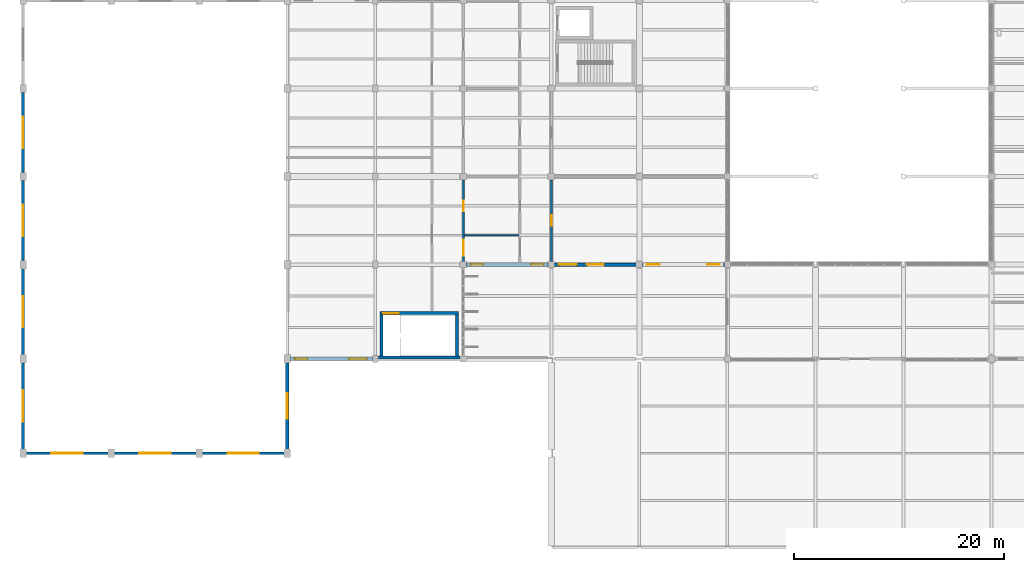
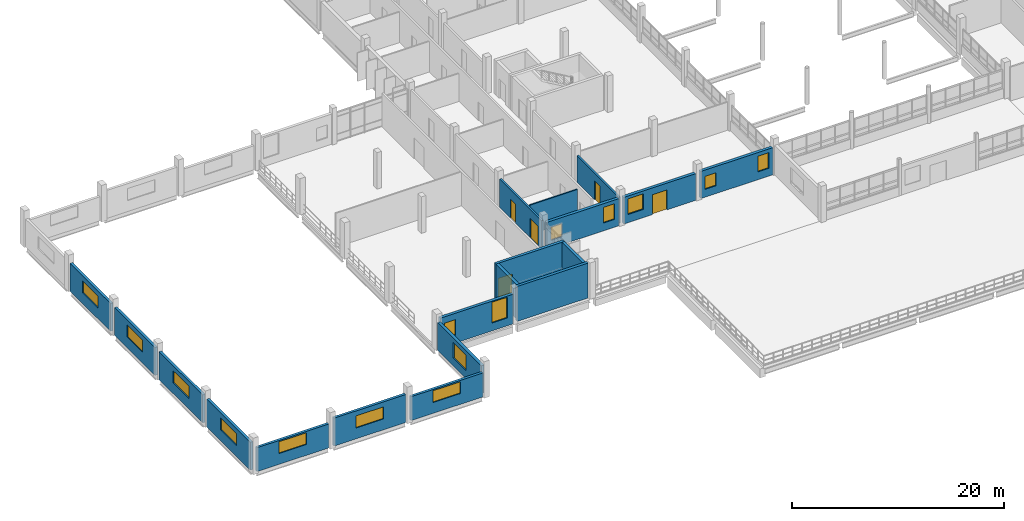
# One storey, part 82 of 101: 19 walls, 15 windows, 5 doors, 20 openings.
"""IFC4 building model written with IfcOpenShell, lengths in metres."""

import ifcopenshell
import ifcopenshell.guid

model = None  # the IFC model being written
_history = None  # IfcOwnerHistory: only IFC2X3 demands one
_inside = {}  # id of a spatial element -> (the spatial element, [elements in it])
_under = {}  # id of a project, library or spatial element -> (it, [spatial elements below it])
_declared = {}  # id of a project -> (the project, [libraries it declares])
_typed = {}  # id of a type object -> (the type object, [elements of that type])
_made_of = {}  # id of a material, layer set ... -> (it, [elements and type objects made of it])


def new_model(schema):
    """Start an empty IFC model of exactly this schema.

    Asked for "IFC4X3", IfcOpenShell would pick the latest addendum, in which some entities
    have other attributes; the version numbers below select the first issue.
    IFC2X3 requires an IfcOwnerHistory on every rooted entity: one is made here for all.
    """
    global model, _history
    if schema == "IFC4X3":
        model = ifcopenshell.file(schema_version=(4, 3, 0, 0))
    else:
        model = ifcopenshell.file(schema=schema)
    _inside.clear()
    _under.clear()
    _declared.clear()
    _typed.clear()
    _made_of.clear()
    _history = None
    if model.schema == "IFC2X3":
        org = make("IfcOrganization", Name="unknown")
        user = make(
            "IfcPersonAndOrganization",
            ThePerson=make("IfcPerson", FamilyName="unknown"),
            TheOrganization=org,
        )
        app = make(
            "IfcApplication",
            ApplicationDeveloper=org,
            Version="unknown",
            ApplicationFullName="unknown",
            ApplicationIdentifier="unknown",
        )
        _history = make(
            "IfcOwnerHistory",
            OwningUser=user,
            OwningApplication=app,
            ChangeAction="ADDED",
            CreationDate=0,
        )
    return model


def make(cls, **values):
    """One entity of the class cls with the attributes given. An attribute that is None is left unset."""
    return model.create_entity(
        cls, **{name: value for name, value in values.items() if value is not None}
    )


def rooted(cls, **values):
    """An entity with a GlobalId (a new one), such as an element, a storey or a relation."""
    return make(cls, GlobalId=ifcopenshell.guid.new(), OwnerHistory=_history, **values)


def si_unit(unit_type, name, prefix=None):
    """IfcSIUnit, for example si_unit("LENGTHUNIT", "METRE", prefix="MILLI")."""
    return make("IfcSIUnit", UnitType=unit_type, Prefix=prefix, Name=name)


def assignment(units):
    """IfcUnitAssignment: the units of a project."""
    return None if units is None else make("IfcUnitAssignment", Units=units)


def point(xyz):
    """IfcCartesianPoint."""
    return None if xyz is None else make("IfcCartesianPoint", Coordinates=xyz)


def direction(xyz):
    """IfcDirection."""
    return None if xyz is None else make("IfcDirection", DirectionRatios=xyz)


def frame(location, z_axis=None, x_axis=None):
    """IfcAxis2Placement3D, a coordinate frame: its origin and axes. An axis left out is left unset."""
    return make(
        "IfcAxis2Placement3D",
        Location=point(location),
        Axis=direction(z_axis),
        RefDirection=direction(x_axis),
    )


def frame_2d(location, x_axis=None):
    """IfcAxis2Placement2D, a coordinate frame in the plane: its origin and x axis."""
    return make(
        "IfcAxis2Placement2D", Location=point(location), RefDirection=direction(x_axis)
    )


def origin():
    """The frame at (0, 0, 0) with its axes left unset."""
    return frame((0.0, 0.0, 0.0))


def place(relative_to, where):
    """IfcLocalPlacement: puts the frame where relative to a parent placement (None: the world)."""
    return make(
        "IfcLocalPlacement", PlacementRelTo=relative_to, RelativePlacement=where
    )


def context(
    kind, dimensions, precision=None, world=None, true_north=None, identifier=None
):
    """IfcGeometricRepresentationContext, for example the 3D "Model" context."""
    return make(
        "IfcGeometricRepresentationContext",
        ContextIdentifier=identifier,
        ContextType=kind,
        CoordinateSpaceDimension=dimensions,
        Precision=precision,
        WorldCoordinateSystem=world,
        TrueNorth=true_north,
    )


def subcontext(parent, identifier, kind, view, scale=None):
    """IfcGeometricRepresentationSubContext, for example "Body" below "Model"."""
    return make(
        "IfcGeometricRepresentationSubContext",
        ContextIdentifier=identifier,
        ContextType=kind,
        ParentContext=parent,
        TargetScale=scale,
        TargetView=view,
    )


def project(units=None, contexts=None):
    """IfcProject with its units and contexts."""
    return rooted(
        "IfcProject",
        Name="project",
        RepresentationContexts=contexts,
        UnitsInContext=assignment(units),
    )


def spatial(cls, under=None, at=None, **own):
    """A site, building, storey or space (cls), placed at a placement, below another one or the project."""
    s = rooted(cls, ObjectPlacement=at, **own)
    if under is not None:
        _under.setdefault(under.id(), (under, []))[1].append(s)
    return s


def profile(cls, at=None, kind="AREA", **sizes):
    """A parametric profile (cls). Its sizes go by their IFC names, for example OverallWidth=200.0."""
    return make(cls, ProfileType=kind, Position=at, **sizes)


def rectangle(**sizes):
    """IfcRectangleProfileDef."""
    return profile("IfcRectangleProfileDef", **sizes)


def extrude(swept, where, along, depth):
    """IfcExtrudedAreaSolid: the profile swept, set in the frame where, extruded along a direction by depth."""
    return make(
        "IfcExtrudedAreaSolid",
        SweptArea=swept,
        Position=where,
        ExtrudedDirection=direction(along),
        Depth=depth,
    )


def shape(context_of_items, identifier, shape_type, items):
    """IfcShapeRepresentation: the items that make up one representation, for example the "Body"."""
    return make(
        "IfcShapeRepresentation",
        ContextOfItems=context_of_items,
        RepresentationIdentifier=identifier,
        RepresentationType=shape_type,
        Items=items,
    )


def material(Name=None, Category=None):
    """IfcMaterial."""
    return make("IfcMaterial", Name=Name, Category=Category)


def layer(
    of_material, thickness, ventilated=None, Name=None, Category=None, Priority=None
):
    """IfcMaterialLayer: one layer of a wall or slab, of a material (None: an air gap)."""
    return make(
        "IfcMaterialLayer",
        Material=of_material,
        LayerThickness=thickness,
        IsVentilated=ventilated,
        Name=Name,
        Category=Category,
        Priority=Priority,
    )


def layer_set(layers, Name=None):
    """IfcMaterialLayerSet."""
    return make("IfcMaterialLayerSet", MaterialLayers=layers, LayerSetName=Name)


def made_of(thing, what):
    """Note that an element or type object is made of a material, layer set ...; save() writes the relation."""
    if what is not None:
        _made_of.setdefault(what.id(), (what, []))[1].append(thing)
    return thing


def type_object(cls, material=None, **own):
    """A type object (cls), such as IfcWallType, which elements share."""
    return made_of(rooted(cls, **own), material)


def element(
    cls,
    number,
    at=None,
    inside=None,
    cuts=None,
    type_object=None,
    material=None,
    context=None,
    identifier="Body",
    shape_type=None,
    held_by="IfcProductDefinitionShape",
    body=None,
    shapes=None,
    **own,
):
    """One element of the class cls, such as IfcWall. Its Tag is "e" and its number.

    at: its placement. inside: the storey or other place that contains it. cuts: it is an
    opening in that element (IfcRelVoidsElement). A single representation is given by context,
    identifier, shape_type and body (its items); several are given by shapes. held_by: the class
    of the entity that holds the representations. save() writes the other relations.
    """
    e = rooted(cls, Tag="e%d" % number, ObjectPlacement=at, **own)
    if body is not None:
        shapes = [shape(context, identifier, shape_type, body)]
    if shapes is not None:
        e.Representation = make(held_by, Representations=shapes)
    if inside is not None:
        _inside.setdefault(inside.id(), (inside, []))[1].append(e)
    if cuts is not None:
        rooted(
            "IfcRelVoidsElement", RelatingBuildingElement=cuts, RelatedOpeningElement=e
        )
    if type_object is not None:
        _typed.setdefault(type_object.id(), (type_object, []))[1].append(e)
    return made_of(e, material)


def fill(opening, filler):
    """IfcRelFillsElement: the door or window that sits in an opening."""
    return rooted(
        "IfcRelFillsElement",
        RelatingOpeningElement=opening,
        RelatedBuildingElement=filler,
    )


def aggregate(whole, parts):
    """IfcRelAggregates: a whole, such as a stair, and the parts it consists of."""
    return rooted("IfcRelAggregates", RelatingObject=whole, RelatedObjects=parts)


def save(model, path):
    """Write the relations noted so far, then the file.

    IfcRelAggregates (storeys below a building ...), IfcRelContainedInSpatialStructure (elements
    in a storey), IfcRelDefinesByType, IfcRelAssociatesMaterial and IfcRelDeclares: one each for
    every whole, place, type object, material and project.
    """
    for whole, parts in _under.values():
        aggregate(whole, parts)
    for where, things in _inside.values():
        rooted(
            "IfcRelContainedInSpatialStructure",
            RelatedElements=things,
            RelatingStructure=where,
        )
    for kind, things in _typed.values():
        rooted("IfcRelDefinesByType", RelatedObjects=things, RelatingType=kind)
    for what, things in _made_of.values():
        rooted("IfcRelAssociatesMaterial", RelatedObjects=things, RelatingMaterial=what)
    for by, libraries in _declared.values():
        rooted("IfcRelDeclares", RelatingContext=by, RelatedDefinitions=libraries)
    model.write(path)


model = new_model("IFC4")

# Units and contexts
model_context = context("Model", 3, precision=1e-05, world=origin(), true_north=direction((0.0, 1.0)))
body_context = subcontext(model_context, "Body", "Model", "MODEL_VIEW")
ifc_project = project(units=[si_unit("LENGTHUNIT", "METRE"), si_unit("AREAUNIT", "SQUARE_METRE"), si_unit("VOLUMEUNIT", "CUBIC_METRE"), si_unit("PLANEANGLEUNIT", "RADIAN"), si_unit("MASSUNIT", "GRAM", prefix="KILO")], contexts=[model_context])

# Site, building, storey
site_placement = place(None, origin())
site = spatial("IfcSite", under=ifc_project, at=site_placement, CompositionType="ELEMENT")
building_placement = place(site_placement, origin())
building = spatial("IfcBuilding", under=site, at=building_placement, Name="Vireocrest Preparatory School", CompositionType="ELEMENT")
storey_placement = place(building_placement, frame((0.0, 0.0, 4.800048828125)))
storey = spatial("IfcBuildingStorey", under=building, at=storey_placement, Name="L01", CompositionType="ELEMENT", Elevation=4.800048828125)

# Wall
ifc_material_1 = material(Name="Gypsum board on cold-formed steel studs", Category="steel")
ifc_layer_1 = layer(ifc_material_1, 0.139892578125)
ifc_layer_set_1 = layer_set([ifc_layer_1], Name="Gypsum board on cold-formed steel studs")
wall_type_1 = type_object("IfcWallType", Name="Classroom Acoustic Partition Wall 140", PredefinedType="PARTITIONING", material=ifc_layer_set_1)
wall_1_placement = place(storey_placement, frame((42.10498046875, 29.800048828125, 0.0), z_axis=(0.0, 0.0, 1.0), x_axis=(1.0, 0.0, 0.0)))
element("IfcWall", 1, at=wall_1_placement, inside=storey, type_object=wall_type_1, Name="Interior Partition W03 IW_L01_0123", PredefinedType="PARTITIONING", context=body_context, shape_type="SweptSolid", body=[
    extrude(rectangle(XDim=5.18994140625, YDim=0.139892578125, at=frame_2d((2.594970703125, 0.0))), origin(), (0.0, 0.0, 1.0), 3.429931640625),
])

# Wall, openings, doors
ifc_layer_2 = layer(ifc_material_1, 0.199951171875)
ifc_layer_set_2 = layer_set([ifc_layer_2], Name="Gypsum board on cold-formed steel studs")
wall_type_2 = type_object("IfcWallType", Name="Corridor One-Hour Fire Partition 200", PredefinedType="PARTITIONING", material=ifc_layer_set_2)
wall_2_placement = place(storey_placement, frame((42.0, 27.1650390625, 0.0), z_axis=(0.0, 0.0, 1.0), x_axis=(0.0, 1.0, 0.0)))
wall_2 = element("IfcWall", 2, at=wall_2_placement, inside=storey, type_object=wall_type_2, Name="Interior Partition W06 IW_L01_0132", PredefinedType="PARTITIONING", context=body_context, shape_type="SweptSolid", body=[
    extrude(rectangle(XDim=7.925048828125, YDim=0.199951171875, at=frame_2d((3.96240234375, 0.0))), origin(), (0.0, 0.0, 1.0), 3.27197265625),
])
opening_1_placement = place(wall_2_placement, frame((0.68505859375, 0.0, 0.0)))
opening_1 = element("IfcOpeningElement", 3, at=opening_1_placement, cuts=wall_2, Name="Opening D-L01-G6C", PredefinedType="OPENING", context=body_context, shape_type="SweptSolid", body=[
    extrude(rectangle(XDim=1.5, YDim=2.199951171875, at=frame_2d((0.75, 1.10009765625))), frame((0.0, 0.10986328125, 0.0), z_axis=(0.0, -1.0, 0.0), x_axis=(1.0, 0.0, 0.0)), (0.0, 0.0, 1.0), 0.219970703125),
])
opening_2_placement = place(wall_2_placement, frame((4.93505859375, 0.0, 0.0)))
opening_2 = element("IfcOpeningElement", 4, at=opening_2_placement, cuts=wall_2, Name="Opening D-L01-G601", PredefinedType="OPENING", context=body_context, shape_type="SweptSolid", body=[
    extrude(rectangle(XDim=1.0, YDim=2.14990234375, at=frame_2d((0.5, 1.074951171875))), frame((0.0, 0.10986328125, 0.0), z_axis=(0.0, -1.0, 0.0), x_axis=(1.0, 0.0, 0.0)), (0.0, 0.0, 1.0), 0.219970703125),
])
ifc_material_2 = material(Name="Solid-core architectural birch timber", Category="wood")
door_type_1 = type_object("IfcDoorType", Name="Classroom Acoustic Timber Door 1000x2150", OperationType="NOTDEFINED", PredefinedType="DOOR", material=ifc_material_2)
door_1_placement = place(opening_2_placement, origin())
door_1 = element("IfcDoor", 5, at=door_1_placement, inside=storey, type_object=door_type_1, Name="Interior Door D-L01-G601", OperationType="SINGLE_SWING_RIGHT", OverallHeight=2.14990234375, OverallWidth=1.0, PredefinedType="DOOR", context=body_context, shape_type="SweptSolid", body=[
    extrude(rectangle(XDim=1.0, YDim=2.14990234375, at=frame_2d((0.5, 1.074951171875))), frame((0.0, 0.02490234375, 0.0), z_axis=(0.0, -1.0, 0.0), x_axis=(1.0, 0.0, 0.0)), (0.0, 0.0, 1.0), 0.050048828125),
])
fill(opening_2, door_1)
ifc_material_3 = material(Name="Painted galvanized hollow steel", Category="steel")
door_type_2 = type_object("IfcDoorType", Name="Stair Enclosure Fire Door 1500x2200", OperationType="DOUBLE_DOOR_SINGLE_SWING", PredefinedType="DOOR", material=ifc_material_3)
door_2_placement = place(opening_1_placement, origin())
door_2 = element("IfcDoor", 6, at=door_2_placement, inside=storey, type_object=door_type_2, Name="Interior Door D-L01-G6C", OperationType="DOUBLE_DOOR_SINGLE_SWING", OverallHeight=2.199951171875, OverallWidth=1.5, PredefinedType="DOOR", context=body_context, shape_type="SweptSolid", body=[
    extrude(rectangle(XDim=1.5, YDim=2.199951171875, at=frame_2d((0.75, 1.10009765625))), frame((0.0, 0.02490234375, 0.0), z_axis=(0.0, -1.0, 0.0), x_axis=(1.0, 0.0, 0.0)), (0.0, 0.0, 1.0), 0.050048828125),
])
fill(opening_1, door_2)

# Wall, opening, door
wall_3_placement = place(storey_placement, frame((50.39990234375, 27.1650390625, 0.0), z_axis=(0.0, 0.0, 1.0), x_axis=(0.0, 1.0, 0.0)))
wall_3 = element("IfcWall", 7, at=wall_3_placement, inside=storey, type_object=wall_type_2, Name="Interior Partition W06 IW_L01_0137", PredefinedType="PARTITIONING", context=body_context, shape_type="SweptSolid", body=[
    extrude(rectangle(XDim=7.925048828125, YDim=0.199951171875, at=frame_2d((3.96240234375, 0.0))), origin(), (0.0, 0.0, 1.0), 3.030029296875),
])
opening_3_placement = place(wall_3_placement, frame((3.534912109375, 0.0, 0.0)))
opening_3 = element("IfcOpeningElement", 8, at=opening_3_placement, cuts=wall_3, Name="Opening D-L01-W1E01", PredefinedType="OPENING", context=body_context, shape_type="SweptSolid", body=[
    extrude(rectangle(XDim=1.0, YDim=2.14990234375, at=frame_2d((0.5, 1.074951171875))), frame((0.0, 0.10986328125, 0.0), z_axis=(0.0, -1.0, 0.0), x_axis=(1.0, 0.0, 0.0)), (0.0, 0.0, 1.0), 0.219970703125),
])
door_3_placement = place(opening_3_placement, origin())
door_3 = element("IfcDoor", 9, at=door_3_placement, inside=storey, type_object=door_type_1, Name="Interior Door D-L01-W1E01", OperationType="SINGLE_SWING_LEFT", OverallHeight=2.14990234375, OverallWidth=1.0, PredefinedType="DOOR", context=body_context, shape_type="SweptSolid", body=[
    extrude(rectangle(XDim=1.0, YDim=2.14990234375, at=frame_2d((0.5, 1.074951171875))), frame((0.0, 0.02490234375, 0.0), z_axis=(0.0, -1.0, 0.0), x_axis=(1.0, 0.0, 0.0)), (0.0, 0.0, 1.0), 0.050048828125),
])
fill(opening_3, door_3)

# Wall, opening, window
ifc_material_4 = material(Name="Precast white concrete 40 MPa", Category="concrete")
ifc_layer_3 = layer(ifc_material_4, 0.320068359375)
ifc_layer_set_3 = layer_set([ifc_layer_3], Name="Precast white concrete 40 MPa")
wall_type_3 = type_object("IfcWallType", Name="High-Tech Insulated Rainscreen External Wall 320", PredefinedType="SOLIDWALL", material=ifc_layer_set_3)
wall_4_placement = place(storey_placement, frame((25.199951171875, 9.375, 0.0), z_axis=(0.0, 0.0, 1.0), x_axis=(0.0, 1.0, 0.0)))
wall_4 = element("IfcWall", 10, at=wall_4_placement, inside=storey, type_object=wall_type_3, Name="External Wall W12 EW_L01_0194", PredefinedType="SOLIDWALL", context=body_context, shape_type="SweptSolid", body=[
    extrude(rectangle(XDim=8.25, YDim=0.320068359375, at=frame_2d((4.125, 0.0))), origin(), (0.0, 0.0, 1.0), 3.221923828125),
])
opening_4_placement = place(wall_4_placement, frame((2.925048828125, 0.0, 0.89990234375)))
opening_4 = element("IfcOpeningElement", 11, at=opening_4_placement, cuts=wall_4, Name="Opening WN12", PredefinedType="OPENING", context=body_context, shape_type="SweptSolid", body=[
    extrude(rectangle(XDim=2.39990234375, YDim=1.800048828125, at=frame_2d((1.199951171875, 0.89990234375))), frame((0.0, 0.169921875, 0.0), z_axis=(0.0, -1.0, 0.0), x_axis=(1.0, 0.0, 0.0)), (0.0, 0.0, 1.0), 0.340087890625),
])
ifc_material_5 = material(Name="Thermally broken aluminium EN AW-6063-T6", Category="aluminium")
window_type_1 = type_object("IfcWindowType", Name="Classroom Paired Window 2400x1800", PartitioningType="DOUBLE_PANEL_VERTICAL", PredefinedType="WINDOW", material=ifc_material_5)
window_1_placement = place(opening_4_placement, origin())
window_1 = element("IfcWindow", 12, at=window_1_placement, inside=storey, type_object=window_type_1, Name="Window W-L01-087 (WN12)", OverallHeight=1.800048828125, OverallWidth=2.39990234375, PartitioningType="SINGLE_PANEL", PredefinedType="WINDOW", context=body_context, shape_type="SweptSolid", body=[
    extrude(rectangle(XDim=2.39990234375, YDim=1.800048828125, at=frame_2d((1.199951171875, 0.89990234375))), frame((0.0, 0.030029296875, 0.0), z_axis=(0.0, -1.0, 0.0), x_axis=(1.0, 0.0, 0.0)), (0.0, 0.0, 1.0), 0.06005859375),
])
fill(opening_4, window_1)

# Wall, openings, windows
wall_5_placement = place(storey_placement, frame((25.47509765625, 18.0, 0.0), z_axis=(0.0, 0.0, 1.0), x_axis=(1.0, 0.0, 0.0)))
wall_5 = element("IfcWall", 13, at=wall_5_placement, inside=storey, type_object=wall_type_3, Name="External Wall W12 EW_L01_0195", PredefinedType="SOLIDWALL", context=body_context, shape_type="SweptSolid", body=[
    extrude(rectangle(XDim=7.89990234375, YDim=0.320068359375, at=frame_2d((3.949951171875, 0.0))), origin(), (0.0, 0.0, 1.0), 3.429931640625),
])
opening_5_placement = place(wall_5_placement, frame((0.449951171875, 0.0, 0.89990234375)))
opening_5 = element("IfcOpeningElement", 14, at=opening_5_placement, cuts=wall_5, Name="Opening WN02", PredefinedType="OPENING", context=body_context, shape_type="SweptSolid", body=[
    extrude(rectangle(XDim=1.199951171875, YDim=1.800048828125, at=frame_2d((0.60009765625, 0.89990234375))), frame((0.0, 0.169921875, 0.0), z_axis=(0.0, -1.0, 0.0), x_axis=(1.0, 0.0, 0.0)), (0.0, 0.0, 1.0), 0.340087890625),
])
opening_6_placement = place(wall_5_placement, frame((5.6201171875, 0.0, 0.89990234375)))
opening_6 = element("IfcOpeningElement", 15, at=opening_6_placement, cuts=wall_5, Name="Opening WN07", PredefinedType="OPENING", context=body_context, shape_type="SweptSolid", body=[
    extrude(rectangle(XDim=1.679931640625, YDim=2.39990234375, at=frame_2d((0.83984375, 1.199951171875))), frame((0.0, 0.169921875, 0.0), z_axis=(0.0, -1.0, 0.0), x_axis=(1.0, 0.0, 0.0)), (0.0, 0.0, 1.0), 0.340087890625),
])
window_type_2 = type_object("IfcWindowType", Name="Counseling Window 1200x1800", PartitioningType="SINGLE_PANEL", PredefinedType="WINDOW", material=ifc_material_5)
window_2_placement = place(opening_5_placement, origin())
window_2 = element("IfcWindow", 16, at=window_2_placement, inside=storey, type_object=window_type_2, Name="Window W-L01-088 (WN02)", OverallHeight=1.800048828125, OverallWidth=1.199951171875, PartitioningType="SINGLE_PANEL", PredefinedType="WINDOW", context=body_context, shape_type="SweptSolid", body=[
    extrude(rectangle(XDim=1.199951171875, YDim=1.800048828125, at=frame_2d((0.60009765625, 0.89990234375))), frame((0.0, 0.030029296875, 0.0), z_axis=(0.0, -1.0, 0.0), x_axis=(1.0, 0.0, 0.0)), (0.0, 0.0, 1.0), 0.06005859375),
])
fill(opening_5, window_2)
window_type_3 = type_object("IfcWindowType", Name="Module Lab Window 1680x2400", PartitioningType="SINGLE_PANEL", PredefinedType="WINDOW", material=ifc_material_5)
window_3_placement = place(opening_6_placement, origin())
window_3 = element("IfcWindow", 17, at=window_3_placement, inside=storey, type_object=window_type_3, Name="Window W-L01-089 (WN07)", OverallHeight=2.39990234375, OverallWidth=1.679931640625, PartitioningType="SINGLE_PANEL", PredefinedType="WINDOW", context=body_context, shape_type="SweptSolid", body=[
    extrude(rectangle(XDim=1.679931640625, YDim=2.39990234375, at=frame_2d((0.83984375, 1.199951171875))), frame((0.0, 0.030029296875, 0.0), z_axis=(0.0, -1.0, 0.0), x_axis=(1.0, 0.0, 0.0)), (0.0, 0.0, 1.0), 0.06005859375),
])
fill(opening_6, window_3)

wall_6_placement = place(storey_placement, frame((42.27490234375, 27.0, 0.0), z_axis=(0.0, 0.0, 1.0), x_axis=(1.0, 0.0, 0.0)))
wall_6 = element("IfcWall", 18, at=wall_6_placement, inside=storey, type_object=wall_type_3, Name="External Wall W12 EW_L01_0197", PredefinedType="SOLIDWALL", context=body_context, shape_type="SweptSolid", body=[
    extrude(rectangle(XDim=7.85009765625, YDim=0.320068359375, at=frame_2d((3.925048828125, 0.0))), origin(), (0.0, 0.0, 1.0), 3.1298828125),
])
opening_7_placement = place(wall_6_placement, frame((0.449951171875, 0.0, 0.89990234375)))
opening_7 = element("IfcOpeningElement", 19, at=opening_7_placement, cuts=wall_6, Name="Opening WN01", PredefinedType="OPENING", context=body_context, shape_type="SweptSolid", body=[
    extrude(rectangle(XDim=1.199951171875, YDim=1.5, at=frame_2d((0.60009765625, 0.75))), frame((0.0, 0.169921875, 0.0), z_axis=(0.0, -1.0, 0.0), x_axis=(1.0, 0.0, 0.0)), (0.0, 0.0, 1.0), 0.340087890625),
])
opening_8_placement = place(wall_6_placement, frame((6.199951171875, 0.0, 0.89990234375)))
opening_8 = element("IfcOpeningElement", 20, at=opening_8_placement, cuts=wall_6, Name="Opening WN02", PredefinedType="OPENING", context=body_context, shape_type="SweptSolid", body=[
    extrude(rectangle(XDim=1.199951171875, YDim=1.800048828125, at=frame_2d((0.60009765625, 0.89990234375))), frame((0.0, 0.169921875, 0.0), z_axis=(0.0, -1.0, 0.0), x_axis=(1.0, 0.0, 0.0)), (0.0, 0.0, 1.0), 0.340087890625),
])
window_4_placement = place(opening_8_placement, origin())
window_4 = element("IfcWindow", 21, at=window_4_placement, inside=storey, type_object=window_type_2, Name="Window W-L01-091 (WN02)", OverallHeight=1.800048828125, OverallWidth=1.199951171875, PartitioningType="SINGLE_PANEL", PredefinedType="WINDOW", context=body_context, shape_type="SweptSolid", body=[
    extrude(rectangle(XDim=1.199951171875, YDim=1.800048828125, at=frame_2d((0.60009765625, 0.89990234375))), frame((0.0, 0.030029296875, 0.0), z_axis=(0.0, -1.0, 0.0), x_axis=(1.0, 0.0, 0.0)), (0.0, 0.0, 1.0), 0.06005859375),
])
fill(opening_8, window_4)
window_type_4 = type_object("IfcWindowType", Name="Office Punched Window 1200x1500", PartitioningType="SINGLE_PANEL", PredefinedType="WINDOW", material=ifc_material_5)
window_5_placement = place(opening_7_placement, origin())
window_5 = element("IfcWindow", 22, at=window_5_placement, inside=storey, type_object=window_type_4, Name="Window W-L01-090 (WN01)", OverallHeight=1.5, OverallWidth=1.199951171875, PartitioningType="SINGLE_PANEL", PredefinedType="WINDOW", context=body_context, shape_type="SweptSolid", body=[
    extrude(rectangle(XDim=1.199951171875, YDim=1.5, at=frame_2d((0.60009765625, 0.75))), frame((0.0, 0.030029296875, 0.0), z_axis=(0.0, -1.0, 0.0), x_axis=(1.0, 0.0, 0.0)), (0.0, 0.0, 1.0), 0.06005859375),
])
fill(opening_7, window_5)

# Wall, openings, window, door
wall_7_placement = place(storey_placement, frame((50.675048828125, 27.0, 0.0), z_axis=(0.0, 0.0, 1.0), x_axis=(1.0, 0.0, 0.0)))
wall_7 = element("IfcWall", 23, at=wall_7_placement, inside=storey, type_object=wall_type_3, Name="External Wall W12 EW_L01_0198", PredefinedType="SOLIDWALL", context=body_context, shape_type="SweptSolid", body=[
    extrude(rectangle(XDim=7.849853515625, YDim=0.320068359375, at=frame_2d((3.9248046875, 0.0))), origin(), (0.0, 0.0, 1.0), 3.079833984375),
])
opening_9_placement = place(wall_7_placement, frame((4.72509765625, 0.0, 0.0), z_axis=(0.0, 0.0, 1.0), x_axis=(-1.0, 0.0, 0.0)))
opening_9 = element("IfcOpeningElement", 24, at=opening_9_placement, cuts=wall_7, Name="Opening TD-103", PredefinedType="OPENING", context=body_context, shape_type="SweptSolid", body=[
    extrude(rectangle(XDim=1.60009765625, YDim=2.300048828125, at=frame_2d((0.800048828125, 1.14990234375))), frame((0.0, 0.169921875, 0.0), z_axis=(0.0, -1.0, 0.0), x_axis=(1.0, 0.0, 0.0)), (0.0, 0.0, 1.0), 0.340087890625),
])
opening_10_placement = place(wall_7_placement, frame((0.449951171875, 0.0, 0.949951171875)))
opening_10 = element("IfcOpeningElement", 25, at=opening_10_placement, cuts=wall_7, Name="Opening WN05", PredefinedType="OPENING", context=body_context, shape_type="SweptSolid", body=[
    extrude(rectangle(XDim=1.679931640625, YDim=1.800048828125, at=frame_2d((0.83984375, 0.89990234375))), frame((0.0, 0.169921875, 0.0), z_axis=(0.0, -1.0, 0.0), x_axis=(1.0, 0.0, 0.0)), (0.0, 0.0, 1.0), 0.340087890625),
])
window_type_5 = type_object("IfcWindowType", Name="Module Classroom Window 1680x1800", PartitioningType="SINGLE_PANEL", PredefinedType="WINDOW", material=ifc_material_5)
window_6_placement = place(opening_10_placement, origin())
window_6 = element("IfcWindow", 26, at=window_6_placement, inside=storey, type_object=window_type_5, Name="Window W-L01-092 (WN05)", OverallHeight=1.800048828125, OverallWidth=1.679931640625, PartitioningType="SINGLE_PANEL", PredefinedType="WINDOW", context=body_context, shape_type="SweptSolid", body=[
    extrude(rectangle(XDim=1.679931640625, YDim=1.800048828125, at=frame_2d((0.83984375, 0.89990234375))), frame((0.0, 0.030029296875, 0.0), z_axis=(0.0, -1.0, 0.0), x_axis=(1.0, 0.0, 0.0)), (0.0, 0.0, 1.0), 0.06005859375),
])
fill(opening_10, window_6)
ifc_material_6 = material(Name="Thermally broken glazed aluminium", Category="aluminium")
door_type_3 = type_object("IfcDoorType", Name="Terrace Glazed Double Door 1600x2300", OperationType="DOUBLE_DOOR_SINGLE_SWING", PredefinedType="DOOR", material=ifc_material_6)
door_4_placement = place(opening_9_placement, origin())
door_4 = element("IfcDoor", 27, at=door_4_placement, inside=storey, type_object=door_type_3, Name="West First-Floor Terrace Door TD-103", OperationType="DOUBLE_DOOR_SINGLE_SWING", OverallHeight=2.300048828125, OverallWidth=1.60009765625, PredefinedType="DOOR", context=body_context, shape_type="SweptSolid", body=[
    extrude(rectangle(XDim=1.60009765625, YDim=2.300048828125, at=frame_2d((0.800048828125, 1.14990234375))), frame((0.0, 0.02490234375, 0.0), z_axis=(0.0, -1.0, 0.0), x_axis=(1.0, 0.0, 0.0)), (0.0, 0.0, 1.0), 0.050048828125),
])
fill(opening_9, door_4)

# Wall, openings, windows
wall_8_placement = place(storey_placement, frame((59.074951171875, 27.0, 0.0), z_axis=(0.0, 0.0, 1.0), x_axis=(1.0, 0.0, 0.0)))
wall_8 = element("IfcWall", 28, at=wall_8_placement, inside=storey, type_object=wall_type_3, Name="External Wall W12 EW_L01_0199", PredefinedType="SOLIDWALL", context=body_context, shape_type="SweptSolid", body=[
    extrude(rectangle(XDim=7.85009765625, YDim=0.320068359375, at=frame_2d((3.925048828125, 0.0))), origin(), (0.0, 0.0, 1.0), 3.1298828125),
])
opening_11_placement = place(wall_8_placement, frame((0.449951171875, 0.0, 0.89990234375)))
opening_11 = element("IfcOpeningElement", 29, at=opening_11_placement, cuts=wall_8, Name="Opening WN01", PredefinedType="OPENING", context=body_context, shape_type="SweptSolid", body=[
    extrude(rectangle(XDim=1.199951171875, YDim=1.5, at=frame_2d((0.60009765625, 0.75))), frame((0.0, 0.169921875, 0.0), z_axis=(0.0, -1.0, 0.0), x_axis=(1.0, 0.0, 0.0)), (0.0, 0.0, 1.0), 0.340087890625),
])
opening_12_placement = place(wall_8_placement, frame((6.199951171875, 0.0, 0.89990234375)))
opening_12 = element("IfcOpeningElement", 30, at=opening_12_placement, cuts=wall_8, Name="Opening WN02", PredefinedType="OPENING", context=body_context, shape_type="SweptSolid", body=[
    extrude(rectangle(XDim=1.199951171875, YDim=1.800048828125, at=frame_2d((0.60009765625, 0.89990234375))), frame((0.0, 0.169921875, 0.0), z_axis=(0.0, -1.0, 0.0), x_axis=(1.0, 0.0, 0.0)), (0.0, 0.0, 1.0), 0.340087890625),
])
window_7_placement = place(opening_12_placement, origin())
window_7 = element("IfcWindow", 31, at=window_7_placement, inside=storey, type_object=window_type_2, Name="Window W-L01-094 (WN02)", OverallHeight=1.800048828125, OverallWidth=1.199951171875, PartitioningType="SINGLE_PANEL", PredefinedType="WINDOW", context=body_context, shape_type="SweptSolid", body=[
    extrude(rectangle(XDim=1.199951171875, YDim=1.800048828125, at=frame_2d((0.60009765625, 0.89990234375))), frame((0.0, 0.030029296875, 0.0), z_axis=(0.0, -1.0, 0.0), x_axis=(1.0, 0.0, 0.0)), (0.0, 0.0, 1.0), 0.06005859375),
])
fill(opening_12, window_7)
window_8_placement = place(opening_11_placement, origin())
window_8 = element("IfcWindow", 32, at=window_8_placement, inside=storey, type_object=window_type_4, Name="Window W-L01-093 (WN01)", OverallHeight=1.5, OverallWidth=1.199951171875, PartitioningType="SINGLE_PANEL", PredefinedType="WINDOW", context=body_context, shape_type="SweptSolid", body=[
    extrude(rectangle(XDim=1.199951171875, YDim=1.5, at=frame_2d((0.60009765625, 0.75))), frame((0.0, 0.030029296875, 0.0), z_axis=(0.0, -1.0, 0.0), x_axis=(1.0, 0.0, 0.0)), (0.0, 0.0, 1.0), 0.06005859375),
])
fill(opening_11, window_8)

# Wall, opening, window
ifc_layer_4 = layer(ifc_material_4, 0.280029296875)
ifc_layer_set_4 = layer_set([ifc_layer_4], Name="Precast white concrete 40 MPa")
wall_type_4 = type_object("IfcWallType", Name="Insulated Hall Precast Cladding Wall 280", PredefinedType="SOLIDWALL", material=ifc_layer_set_4)
wall_9_placement = place(storey_placement, frame((0.0, 9.375, 0.0), z_axis=(0.0, 0.0, 1.0), x_axis=(0.0, 1.0, 0.0)))
wall_9 = element("IfcWall", 33, at=wall_9_placement, inside=storey, type_object=wall_type_4, Name="External Wall W10 EW_L01_0186", PredefinedType="SOLIDWALL", context=body_context, shape_type="SweptSolid", body=[
    extrude(rectangle(XDim=8.25, YDim=0.280029296875, at=frame_2d((4.125, 0.0))), origin(), (0.0, 0.0, 1.0), 3.221923828125),
])
opening_13_placement = place(wall_9_placement, frame((2.625, 0.0, 1.25)))
opening_13 = element("IfcOpeningElement", 34, at=opening_13_placement, cuts=wall_9, Name="Opening WN20", PredefinedType="OPENING", context=body_context, shape_type="SweptSolid", body=[
    extrude(rectangle(XDim=3.0, YDim=1.39990234375, at=frame_2d((1.5, 0.699951171875))), frame((0.0, 0.14990234375, 0.0), z_axis=(0.0, -1.0, 0.0), x_axis=(1.0, 0.0, 0.0)), (0.0, 0.0, 1.0), 0.300048828125),
])
window_type_6 = type_object("IfcWindowType", Name="Sports Hall High Clerestory Window 3000x1400", PartitioningType="DOUBLE_PANEL_VERTICAL", PredefinedType="WINDOW", material=ifc_material_5)
window_9_placement = place(opening_13_placement, origin())
window_9 = element("IfcWindow", 35, at=window_9_placement, inside=storey, type_object=window_type_6, Name="Window W-L01-079 (WN20)", OverallHeight=1.39990234375, OverallWidth=3.0, PartitioningType="SINGLE_PANEL", PredefinedType="WINDOW", context=body_context, shape_type="SweptSolid", body=[
    extrude(rectangle(XDim=3.0, YDim=1.39990234375, at=frame_2d((1.5, 0.699951171875))), frame((0.0, 0.030029296875, 0.0), z_axis=(0.0, -1.0, 0.0), x_axis=(1.0, 0.0, 0.0)), (0.0, 0.0, 1.0), 0.06005859375),
])
fill(opening_13, window_9)

wall_10_placement = place(storey_placement, frame((0.0, 18.375, 0.0), z_axis=(0.0, 0.0, 1.0), x_axis=(0.0, 1.0, 0.0)))
wall_10 = element("IfcWall", 36, at=wall_10_placement, inside=storey, type_object=wall_type_4, Name="External Wall W10 EW_L01_0187", PredefinedType="SOLIDWALL", context=body_context, shape_type="SweptSolid", body=[
    extrude(rectangle(XDim=8.25, YDim=0.280029296875, at=frame_2d((4.125, 0.0))), origin(), (0.0, 0.0, 1.0), 3.221923828125),
])
opening_14_placement = place(wall_10_placement, frame((2.625, 0.0, 1.25)))
opening_14 = element("IfcOpeningElement", 37, at=opening_14_placement, cuts=wall_10, Name="Opening WN20", PredefinedType="OPENING", context=body_context, shape_type="SweptSolid", body=[
    extrude(rectangle(XDim=3.0, YDim=1.39990234375, at=frame_2d((1.5, 0.699951171875))), frame((0.0, 0.14990234375, 0.0), z_axis=(0.0, -1.0, 0.0), x_axis=(1.0, 0.0, 0.0)), (0.0, 0.0, 1.0), 0.300048828125),
])
window_10_placement = place(opening_14_placement, origin())
window_10 = element("IfcWindow", 38, at=window_10_placement, inside=storey, type_object=window_type_6, Name="Window W-L01-080 (WN20)", OverallHeight=1.39990234375, OverallWidth=3.0, PartitioningType="SINGLE_PANEL", PredefinedType="WINDOW", context=body_context, shape_type="SweptSolid", body=[
    extrude(rectangle(XDim=3.0, YDim=1.39990234375, at=frame_2d((1.5, 0.699951171875))), frame((0.0, 0.030029296875, 0.0), z_axis=(0.0, -1.0, 0.0), x_axis=(1.0, 0.0, 0.0)), (0.0, 0.0, 1.0), 0.06005859375),
])
fill(opening_14, window_10)

wall_11_placement = place(storey_placement, frame((0.0, 27.375, 0.0), z_axis=(0.0, 0.0, 1.0), x_axis=(0.0, 1.0, 0.0)))
wall_11 = element("IfcWall", 39, at=wall_11_placement, inside=storey, type_object=wall_type_4, Name="External Wall W10 EW_L01_0188", PredefinedType="SOLIDWALL", context=body_context, shape_type="SweptSolid", body=[
    extrude(rectangle(XDim=7.64990234375, YDim=0.280029296875, at=frame_2d((3.824951171875, 0.0))), origin(), (0.0, 0.0, 1.0), 3.221923828125),
])
opening_15_placement = place(wall_11_placement, frame((2.324951171875, 0.0, 1.25)))
opening_15 = element("IfcOpeningElement", 40, at=opening_15_placement, cuts=wall_11, Name="Opening WN20", PredefinedType="OPENING", context=body_context, shape_type="SweptSolid", body=[
    extrude(rectangle(XDim=3.0, YDim=1.39990234375, at=frame_2d((1.5, 0.699951171875))), frame((0.0, 0.14990234375, 0.0), z_axis=(0.0, -1.0, 0.0), x_axis=(1.0, 0.0, 0.0)), (0.0, 0.0, 1.0), 0.300048828125),
])
window_11_placement = place(opening_15_placement, origin())
window_11 = element("IfcWindow", 41, at=window_11_placement, inside=storey, type_object=window_type_6, Name="Window W-L01-081 (WN20)", OverallHeight=1.39990234375, OverallWidth=3.0, PartitioningType="SINGLE_PANEL", PredefinedType="WINDOW", context=body_context, shape_type="SweptSolid", body=[
    extrude(rectangle(XDim=3.0, YDim=1.39990234375, at=frame_2d((1.5, 0.699951171875))), frame((0.0, 0.030029296875, 0.0), z_axis=(0.0, -1.0, 0.0), x_axis=(1.0, 0.0, 0.0)), (0.0, 0.0, 1.0), 0.06005859375),
])
fill(opening_15, window_11)

wall_12_placement = place(storey_placement, frame((0.0, 35.77490234375, 0.0), z_axis=(0.0, 0.0, 1.0), x_axis=(0.0, 1.0, 0.0)))
wall_12 = element("IfcWall", 42, at=wall_12_placement, inside=storey, type_object=wall_type_4, Name="External Wall W10 EW_L01_0189", PredefinedType="SOLIDWALL", context=body_context, shape_type="SweptSolid", body=[
    extrude(rectangle(XDim=7.650146484375, YDim=0.280029296875, at=frame_2d((3.8251953125, 0.0))), origin(), (0.0, 0.0, 1.0), 3.221923828125),
])
opening_16_placement = place(wall_12_placement, frame((2.324951171875, 0.0, 1.25)))
opening_16 = element("IfcOpeningElement", 43, at=opening_16_placement, cuts=wall_12, Name="Opening WN20", PredefinedType="OPENING", context=body_context, shape_type="SweptSolid", body=[
    extrude(rectangle(XDim=3.0, YDim=1.39990234375, at=frame_2d((1.5, 0.699951171875))), frame((0.0, 0.14990234375, 0.0), z_axis=(0.0, -1.0, 0.0), x_axis=(1.0, 0.0, 0.0)), (0.0, 0.0, 1.0), 0.300048828125),
])
window_12_placement = place(opening_16_placement, origin())
window_12 = element("IfcWindow", 44, at=window_12_placement, inside=storey, type_object=window_type_6, Name="Window W-L01-082 (WN20)", OverallHeight=1.39990234375, OverallWidth=3.0, PartitioningType="SINGLE_PANEL", PredefinedType="WINDOW", context=body_context, shape_type="SweptSolid", body=[
    extrude(rectangle(XDim=3.0, YDim=1.39990234375, at=frame_2d((1.5, 0.699951171875))), frame((0.0, 0.030029296875, 0.0), z_axis=(0.0, -1.0, 0.0), x_axis=(1.0, 0.0, 0.0)), (0.0, 0.0, 1.0), 0.06005859375),
])
fill(opening_16, window_12)

wall_13_placement = place(storey_placement, frame((0.27490234375, 9.0, 0.0), z_axis=(0.0, 0.0, 1.0), x_axis=(1.0, 0.0, 0.0)))
wall_13 = element("IfcWall", 45, at=wall_13_placement, inside=storey, type_object=wall_type_4, Name="External Wall W10 EW_L01_0191", PredefinedType="SOLIDWALL", context=body_context, shape_type="SweptSolid", body=[
    extrude(rectangle(XDim=7.85009765625, YDim=0.280029296875, at=frame_2d((3.925048828125, 0.0))), origin(), (0.0, 0.0, 1.0), 2.758544921875),
])
opening_17_placement = place(wall_13_placement, frame((2.425048828125, 0.0, 1.25)))
opening_17 = element("IfcOpeningElement", 46, at=opening_17_placement, cuts=wall_13, Name="Opening WN20", PredefinedType="OPENING", context=body_context, shape_type="SweptSolid", body=[
    extrude(rectangle(XDim=3.0, YDim=1.35888671875, at=frame_2d((1.5, 0.679443359375))), frame((0.0, 0.14990234375, 0.0), z_axis=(0.0, -1.0, 0.0), x_axis=(1.0, 0.0, 0.0)), (0.0, 0.0, 1.0), 0.300048828125),
])
window_13_placement = place(opening_17_placement, origin())
window_13 = element("IfcWindow", 47, at=window_13_placement, inside=storey, type_object=window_type_6, Name="Window W-L01-084 (WN20)", OverallHeight=1.35888671875, OverallWidth=3.0, PartitioningType="SINGLE_PANEL", PredefinedType="WINDOW", context=body_context, shape_type="SweptSolid", body=[
    extrude(rectangle(XDim=3.0, YDim=1.35888671875, at=frame_2d((1.5, 0.679443359375))), frame((0.0, 0.030029296875, 0.0), z_axis=(0.0, -1.0, 0.0), x_axis=(1.0, 0.0, 0.0)), (0.0, 0.0, 1.0), 0.06005859375),
])
fill(opening_17, window_13)

wall_14_placement = place(storey_placement, frame((8.675048828125, 9.0, 0.0), z_axis=(0.0, 0.0, 1.0), x_axis=(1.0, 0.0, 0.0)))
wall_14 = element("IfcWall", 48, at=wall_14_placement, inside=storey, type_object=wall_type_4, Name="External Wall W10 EW_L01_0192", PredefinedType="SOLIDWALL", context=body_context, shape_type="SweptSolid", body=[
    extrude(rectangle(XDim=7.849853515625, YDim=0.280029296875, at=frame_2d((3.9248046875, 0.0))), origin(), (0.0, 0.0, 1.0), 3.221923828125),
])
opening_18_placement = place(wall_14_placement, frame((2.425048828125, 0.0, 1.25)))
opening_18 = element("IfcOpeningElement", 49, at=opening_18_placement, cuts=wall_14, Name="Opening WN20", PredefinedType="OPENING", context=body_context, shape_type="SweptSolid", body=[
    extrude(rectangle(XDim=3.0, YDim=1.39990234375, at=frame_2d((1.5, 0.699951171875))), frame((0.0, 0.14990234375, 0.0), z_axis=(0.0, -1.0, 0.0), x_axis=(1.0, 0.0, 0.0)), (0.0, 0.0, 1.0), 0.300048828125),
])
window_14_placement = place(opening_18_placement, origin())
window_14 = element("IfcWindow", 50, at=window_14_placement, inside=storey, type_object=window_type_6, Name="Window W-L01-085 (WN20)", OverallHeight=1.39990234375, OverallWidth=3.0, PartitioningType="SINGLE_PANEL", PredefinedType="WINDOW", context=body_context, shape_type="SweptSolid", body=[
    extrude(rectangle(XDim=3.0, YDim=1.39990234375, at=frame_2d((1.5, 0.699951171875))), frame((0.0, 0.030029296875, 0.0), z_axis=(0.0, -1.0, 0.0), x_axis=(1.0, 0.0, 0.0)), (0.0, 0.0, 1.0), 0.06005859375),
])
fill(opening_18, window_14)

wall_15_placement = place(storey_placement, frame((17.074951171875, 9.0, 0.0), z_axis=(0.0, 0.0, 1.0), x_axis=(1.0, 0.0, 0.0)))
wall_15 = element("IfcWall", 51, at=wall_15_placement, inside=storey, type_object=wall_type_4, Name="External Wall W10 EW_L01_0193", PredefinedType="SOLIDWALL", context=body_context, shape_type="SweptSolid", body=[
    extrude(rectangle(XDim=7.85009765625, YDim=0.280029296875, at=frame_2d((3.925048828125, 0.0))), origin(), (0.0, 0.0, 1.0), 2.758544921875),
])
opening_19_placement = place(wall_15_placement, frame((2.425048828125, 0.0, 1.25)))
opening_19 = element("IfcOpeningElement", 52, at=opening_19_placement, cuts=wall_15, Name="Opening WN20", PredefinedType="OPENING", context=body_context, shape_type="SweptSolid", body=[
    extrude(rectangle(XDim=3.0, YDim=1.35888671875, at=frame_2d((1.5, 0.679443359375))), frame((0.0, 0.14990234375, 0.0), z_axis=(0.0, -1.0, 0.0), x_axis=(1.0, 0.0, 0.0)), (0.0, 0.0, 1.0), 0.300048828125),
])
window_15_placement = place(opening_19_placement, origin())
window_15 = element("IfcWindow", 53, at=window_15_placement, inside=storey, type_object=window_type_6, Name="Window W-L01-086 (WN20)", OverallHeight=1.35888671875, OverallWidth=3.0, PartitioningType="SINGLE_PANEL", PredefinedType="WINDOW", context=body_context, shape_type="SweptSolid", body=[
    extrude(rectangle(XDim=3.0, YDim=1.35888671875, at=frame_2d((1.5, 0.679443359375))), frame((0.0, 0.030029296875, 0.0), z_axis=(0.0, -1.0, 0.0), x_axis=(1.0, 0.0, 0.0)), (0.0, 0.0, 1.0), 0.06005859375),
])
fill(opening_19, window_15)

# Wall
ifc_material_7 = material(Name="Concrete 45 MPa", Category="concrete")
ifc_layer_5 = layer(ifc_material_7, 0.300048828125)
ifc_layer_set_5 = layer_set([ifc_layer_5], Name="Concrete 45 MPa")
wall_type_5 = type_object("IfcWallType", Name="Two-Hour RC Stair Shaft Shear Wall 300", PredefinedType="SHEAR", material=ifc_layer_set_5)
wall_16_placement = place(storey_placement, frame((33.925048828125, 18.14990234375, 0.0), z_axis=(0.0, 0.0, 1.0), x_axis=(1.0, 0.0, 0.0)))
element("IfcWall", 54, at=wall_16_placement, inside=storey, type_object=wall_type_5, Name="Stair Core Shear Wall ST5 L01-S", PredefinedType="SHEAR", context=body_context, shape_type="SweptSolid", body=[
    extrude(rectangle(XDim=7.75, YDim=0.300048828125, at=frame_2d((3.875, 0.0))), origin(), (0.0, 0.0, 1.0), 4.02490234375),
])

# Wall, opening, door
wall_17_placement = place(storey_placement, frame((34.050048828125, 22.35009765625, 0.0), z_axis=(0.0, 0.0, 1.0), x_axis=(1.0, 0.0, 0.0)))
wall_17 = element("IfcWall", 55, at=wall_17_placement, inside=storey, type_object=wall_type_5, Name="Stair Core Shear Wall ST5 L01-N", PredefinedType="SHEAR", context=body_context, shape_type="SweptSolid", body=[
    extrude(rectangle(XDim=7.5, YDim=0.300048828125, at=frame_2d((3.75, 0.0))), origin(), (0.0, 0.0, 1.0), 4.02490234375),
])
opening_20_placement = place(wall_17_placement, frame((0.300048828125, 0.0, 0.0)))
opening_20 = element("IfcOpeningElement", 56, at=opening_20_placement, cuts=wall_17, Name="Opening SD-ST5-L01", PredefinedType="OPENING", context=body_context, shape_type="SweptSolid", body=[
    extrude(rectangle(XDim=1.5, YDim=2.199951171875, at=frame_2d((0.75, 1.10009765625))), frame((0.0, 0.159912109375, 0.0), z_axis=(0.0, -1.0, 0.0), x_axis=(1.0, 0.0, 0.0)), (0.0, 0.0, 1.0), 0.320068359375),
])
door_5_placement = place(opening_20_placement, origin())
door_5 = element("IfcDoor", 57, at=door_5_placement, inside=storey, type_object=door_type_2, Name="Stair Enclosure Fire Door SD-ST5-L01", OperationType="DOUBLE_DOOR_SINGLE_SWING", OverallHeight=2.199951171875, OverallWidth=1.5, PredefinedType="DOOR", context=body_context, shape_type="SweptSolid", body=[
    extrude(rectangle(XDim=1.5, YDim=2.199951171875, at=frame_2d((0.75, 1.10009765625))), frame((0.0, 0.02490234375, 0.0), z_axis=(0.0, -1.0, 0.0), x_axis=(1.0, 0.0, 0.0)), (0.0, 0.0, 1.0), 0.050048828125),
])
fill(opening_20, door_5)

# Walls
for number, where, z_axis, x_axis, name in (
    (58, (34.199951171875, 18.300048828125, 0.0), (0.0, 0.0, 1.0), (0.0, 1.0, 0.0), "Stair Core Shear Wall ST5 L01-W"),
    (59, (41.39990234375, 18.300048828125, 0.0), (0.0, 0.0, 1.0), (0.0, 1.0, 0.0), "Stair Core Shear Wall ST5 L01-E"),
):
    element("IfcWall", number, at=place(storey_placement, frame(where, z_axis=z_axis, x_axis=x_axis)), inside=storey, type_object=wall_type_5, Name=name, PredefinedType="SHEAR", context=body_context, shape_type="SweptSolid", body=[
        extrude(rectangle(XDim=3.89990234375, YDim=0.300048828125, at=frame_2d((1.949951171875, 0.0))), origin(), (0.0, 0.0, 1.0), 4.02490234375),
    ])

save(model, "model.ifc")
